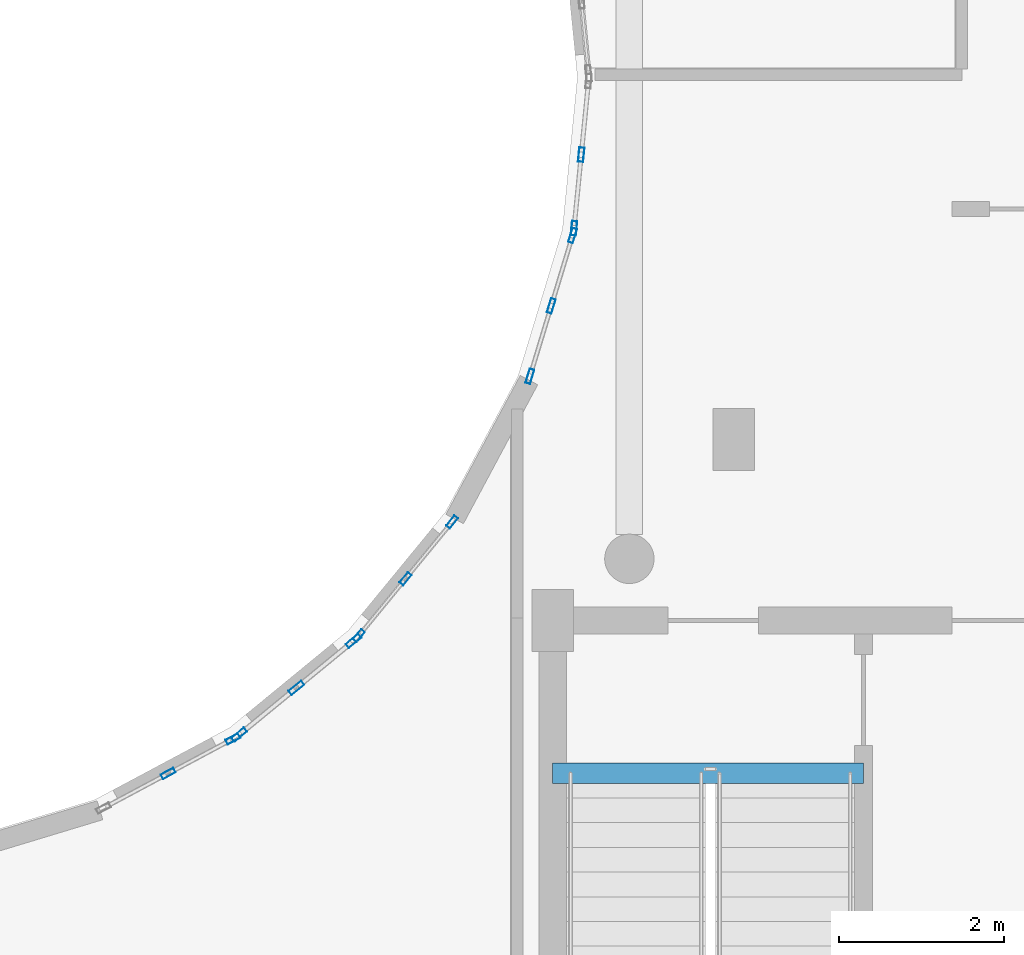
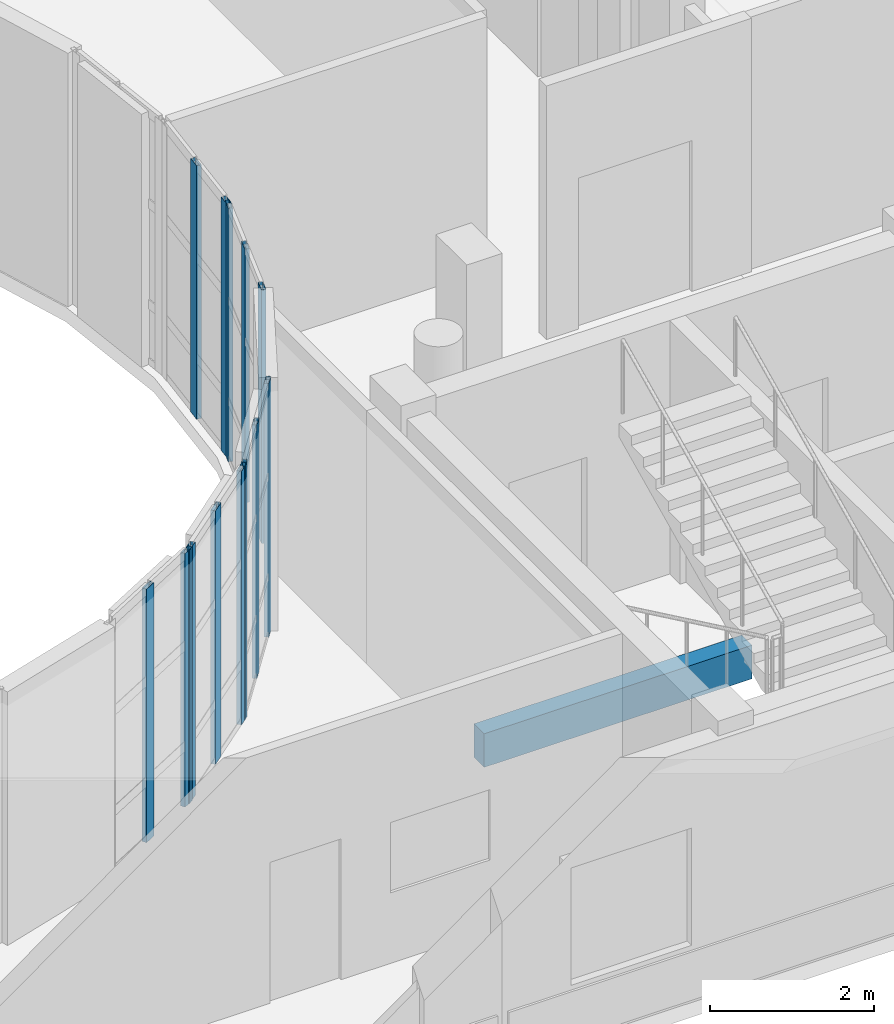
# One storey, part 39 of 105: 13 members, 1 beam, 5 elements without a shape of their own.
"""IFC4 building model written with IfcOpenShell, lengths in metres."""

from ifc_helpers import new_model, si_unit, direction, frame, origin, origin_2d, place, context, subcontext, project, spatial, rectangle, hollow_rectangle, extrude, material, layer, layer_set, material_profile, profile_set, type_object, element, aggregate, save


model = new_model("IFC4")

# Units and contexts
model_context = context("Model", 3, precision=1e-05, world=origin(), true_north=direction((0.0, 1.0)))
body_context = subcontext(model_context, "Body", "Model", "MODEL_VIEW")
ifc_project = project(units=[si_unit("LENGTHUNIT", "METRE"), si_unit("AREAUNIT", "SQUARE_METRE"), si_unit("VOLUMEUNIT", "CUBIC_METRE"), si_unit("PLANEANGLEUNIT", "RADIAN"), si_unit("MASSUNIT", "GRAM", prefix="KILO")], contexts=[model_context])

# Site, building, storey
site_placement = place(None, origin())
site = spatial("IfcSite", under=ifc_project, at=site_placement, CompositionType="ELEMENT")
building_placement = place(site_placement, origin())
building = spatial("IfcBuilding", under=site, at=building_placement, Name="Kelanivale Promenade Academy", CompositionType="ELEMENT")
storey_placement = place(building_placement, frame((0.0, 0.0, 4.199951171875)))
storey = spatial("IfcBuildingStorey", under=building, at=storey_placement, Name="L01", CompositionType="ELEMENT", Elevation=4.199951171875)

# Curtain wall, members
ifc_material_1 = material(Name="Bronze anodised aluminium and solar-control low-E glass", Category="aluminium")
ifc_layer_1 = layer(ifc_material_1, 0.169921875)
ifc_layer_set_1 = layer_set([ifc_layer_1], Name="Bronze anodised aluminium and solar-control low-E glass")
curtain_wall_type_1 = type_object("IfcCurtainWallType", Name="CW-01 Curtain Wall 1350mm Module", PredefinedType="USERDEFINED", material=ifc_layer_set_1)
curtain_wall_1_placement = place(storey_placement, origin())
curtain_wall_1 = element("IfcCurtainWall", 1, at=curtain_wall_1_placement, inside=storey, type_object=curtain_wall_type_1, Name="L01 courtyard curtain wall CW-01", ObjectType="UNITISED GLAZING", PredefinedType="USERDEFINED")
ifc_material_2 = material(Name="Bronze anodised aluminium EN AW-6063 T6", Category="aluminium")
ifc_material_profile_1 = material_profile(ifc_material_2, hollow_rectangle(XDim=0.06005859375, YDim=0.159912109375, WallThickness=0.00390625, at=origin_2d()), Name="ALU 60x160x4.0")
ifc_profile_set_1 = profile_set([ifc_material_profile_1], Name="Bronze anodised aluminium EN AW-6063 T6")
member_type_1 = type_object("IfcMemberType", Name="CWM-01 ALU 60x160x4.0", PredefinedType="MULLION", material=ifc_profile_set_1)
member_1_placement = place(storey_placement, frame((105.64501953125, 50.01611328125, 0.0), z_axis=(0.0, 0.0, 1.0), x_axis=(-0.773257170269, 0.634092539482, 0.0)))
member_1 = element("IfcMember", 2, at=member_1_placement, type_object=member_type_1, Name="CW-01 mullion 1", PredefinedType="MULLION", context=body_context, shape_type="SweptSolid", body=[
    extrude(hollow_rectangle(XDim=0.06005859375, YDim=0.159912109375, WallThickness=0.00390625, at=origin_2d()), origin(), (0.0, 0.0, 1.0), 3.780029296875),
])
member_2_placement = place(storey_placement, frame((106.21142578125, 50.70703125, 0.0), z_axis=(0.0, 0.0, 1.0), x_axis=(-0.773257170269, 0.634092539482, 0.0)))
member_2 = element("IfcMember", 3, at=member_2_placement, type_object=member_type_1, Name="CW-01 mullion 2", PredefinedType="MULLION", context=body_context, shape_type="SweptSolid", body=[
    extrude(hollow_rectangle(XDim=0.06005859375, YDim=0.159912109375, WallThickness=0.00390625, at=origin_2d()), origin(), (0.0, 0.0, 1.0), 3.780029296875),
])
member_3_placement = place(storey_placement, frame((106.778076171875, 51.397705078125, 0.0), z_axis=(0.0, 0.0, 1.0), x_axis=(-0.773257170269, 0.634092539482, 0.0)))
member_3 = element("IfcMember", 4, at=member_3_placement, type_object=member_type_1, Name="CW-01 mullion 3", PredefinedType="MULLION", context=body_context, shape_type="SweptSolid", body=[
    extrude(hollow_rectangle(XDim=0.06005859375, YDim=0.159912109375, WallThickness=0.00390625, at=origin_2d()), origin(), (0.0, 0.0, 1.0), 3.780029296875),
])
aggregate(curtain_wall_1, [member_1, member_2, member_3])

ifc_layer_2 = layer(ifc_material_1, 0.179931640625)
ifc_layer_set_2 = layer_set([ifc_layer_2], Name="Bronze anodised aluminium and solar-control low-E glass")
curtain_wall_type_2 = type_object("IfcCurtainWallType", Name="CW-02 Curtain Wall 1500mm Module", PredefinedType="USERDEFINED", material=ifc_layer_set_2)
curtain_wall_2_placement = place(storey_placement, origin())
curtain_wall_2 = element("IfcCurtainWall", 5, at=curtain_wall_2_placement, inside=storey, type_object=curtain_wall_type_2, Name="L01 courtyard curtain wall CW-02", ObjectType="UNITISED GLAZING", PredefinedType="USERDEFINED")
ifc_material_profile_2 = material_profile(ifc_material_2, hollow_rectangle(XDim=0.06005859375, YDim=0.179931640625, WallThickness=0.00390625, at=origin_2d()), Name="ALU 60x180x4.0")
ifc_profile_set_2 = profile_set([ifc_material_profile_2], Name="Bronze anodised aluminium EN AW-6063 T6")
member_type_2 = type_object("IfcMemberType", Name="CWM-02 ALU 60x180x4.0", PredefinedType="MULLION", material=ifc_profile_set_2)
member_4_placement = place(storey_placement, frame((107.7236328125, 53.166748046875, 0.0), z_axis=(0.0, 0.0, 1.0), x_axis=(-0.956987977524, 0.290127576893, 0.0)))
member_4 = element("IfcMember", 6, at=member_4_placement, type_object=member_type_2, Name="CW-02 mullion 1", PredefinedType="MULLION", context=body_context, shape_type="SweptSolid", body=[
    extrude(hollow_rectangle(XDim=0.06005859375, YDim=0.179931640625, WallThickness=0.00390625, at=origin_2d()), origin(), (0.0, 0.0, 1.0), 3.780029296875),
])
member_5_placement = place(storey_placement, frame((107.98291015625, 54.02197265625, 0.0), z_axis=(0.0, 0.0, 1.0), x_axis=(-0.956987977524, 0.290127576893, 0.0)))
member_5 = element("IfcMember", 7, at=member_5_placement, type_object=member_type_2, Name="CW-02 mullion 2", PredefinedType="MULLION", context=body_context, shape_type="SweptSolid", body=[
    extrude(hollow_rectangle(XDim=0.06005859375, YDim=0.179931640625, WallThickness=0.00390625, at=origin_2d()), origin(), (0.0, 0.0, 1.0), 3.780029296875),
])
member_6_placement = place(storey_placement, frame((108.2421875, 54.877197265625, 0.0), z_axis=(0.0, 0.0, 1.0), x_axis=(-0.956987977524, 0.290127576893, 0.0)))
member_6 = element("IfcMember", 8, at=member_6_placement, type_object=member_type_2, Name="CW-02 mullion 3", PredefinedType="MULLION", context=body_context, shape_type="SweptSolid", body=[
    extrude(hollow_rectangle(XDim=0.06005859375, YDim=0.179931640625, WallThickness=0.00390625, at=origin_2d()), origin(), (0.0, 0.0, 1.0), 3.780029296875),
])
aggregate(curtain_wall_2, [member_4, member_5, member_6])

ifc_layer_3 = layer(ifc_material_1, 0.179931640625)
ifc_layer_set_3 = layer_set([ifc_layer_3], Name="Bronze anodised aluminium and solar-control low-E glass")
curtain_wall_type_3 = type_object("IfcCurtainWallType", Name="CW-23 Curtain Wall 1950mm Module", PredefinedType="USERDEFINED", material=ifc_layer_set_3)
curtain_wall_3_placement = place(storey_placement, origin())
curtain_wall_3 = element("IfcCurtainWall", 9, at=curtain_wall_3_placement, inside=storey, type_object=curtain_wall_type_3, Name="L01 courtyard curtain wall CW-23", ObjectType="COURTYARD SCREEN GLAZING", PredefinedType="USERDEFINED")
ifc_material_profile_3 = material_profile(ifc_material_2, hollow_rectangle(XDim=0.06494140625, YDim=0.175048828125, WallThickness=0.00390625, at=origin_2d()), Name="ALU 65x175x4.0")
ifc_profile_set_3 = profile_set([ifc_material_profile_3], Name="Bronze anodised aluminium EN AW-6063 T6")
member_type_3 = type_object("IfcMemberType", Name="CWM-03 ALU 65x175x4.0", PredefinedType="MULLION", material=ifc_profile_set_3)
member_7_placement = place(storey_placement, frame((103.3291015625, 48.342529296875, 0.0), z_axis=(0.0, 0.0, 1.0), x_axis=(-0.471290193914, 0.881978204448, 0.0)))
member_7 = element("IfcMember", 10, at=member_7_placement, type_object=member_type_3, Name="CW-23 mullion 2", PredefinedType="MULLION", context=body_context, shape_type="SweptSolid", body=[
    extrude(hollow_rectangle(XDim=0.06494140625, YDim=0.175048828125, WallThickness=0.00390625, at=origin_2d()), origin(), (0.0, 0.0, 1.0), 3.780029296875),
])
member_8_placement = place(storey_placement, frame((104.115234375, 48.7626953125, 0.0), z_axis=(0.0, 0.0, 1.0), x_axis=(-0.471290193914, 0.881978204448, 0.0)))
member_8 = element("IfcMember", 11, at=member_8_placement, type_object=member_type_3, Name="CW-23 mullion 3", PredefinedType="MULLION", context=body_context, shape_type="SweptSolid", body=[
    extrude(hollow_rectangle(XDim=0.06494140625, YDim=0.175048828125, WallThickness=0.00390625, at=origin_2d()), origin(), (0.0, 0.0, 1.0), 3.780029296875),
])
aggregate(curtain_wall_3, [member_7, member_8])

ifc_layer_4 = layer(ifc_material_1, 0.159912109375)
ifc_layer_set_4 = layer_set([ifc_layer_4], Name="Bronze anodised aluminium and solar-control low-E glass")
curtain_wall_type_4 = type_object("IfcCurtainWallType", Name="CW-03 Curtain Wall 1650mm Module", PredefinedType="USERDEFINED", material=ifc_layer_set_4)
curtain_wall_4_placement = place(storey_placement, origin())
curtain_wall_4 = element("IfcCurtainWall", 12, at=curtain_wall_4_placement, inside=storey, type_object=curtain_wall_type_4, Name="L01 courtyard curtain wall CW-03", ObjectType="UNITISED GLAZING", PredefinedType="USERDEFINED")
member_9_placement = place(storey_placement, frame((108.25927734375, 54.96533203125, 0.0), z_axis=(0.0, 0.0, 1.0), x_axis=(-0.995158737767, 0.098280652454, 0.0)))
member_9 = element("IfcMember", 13, at=member_9_placement, type_object=member_type_3, Name="CW-03 mullion 1", PredefinedType="MULLION", context=body_context, shape_type="SweptSolid", body=[
    extrude(hollow_rectangle(XDim=0.06494140625, YDim=0.175048828125, WallThickness=0.00390625, at=origin_2d()), origin(), (0.0, 0.0, 1.0), 3.780029296875),
])
member_10_placement = place(storey_placement, frame((108.347412109375, 55.859619140625, 0.0), z_axis=(0.0, 0.0, 1.0), x_axis=(-0.995158737767, 0.098280652454, 0.0)))
member_10 = element("IfcMember", 14, at=member_10_placement, type_object=member_type_3, Name="CW-03 mullion 2", PredefinedType="MULLION", context=body_context, shape_type="SweptSolid", body=[
    extrude(hollow_rectangle(XDim=0.06494140625, YDim=0.175048828125, WallThickness=0.00390625, at=origin_2d()), origin(), (0.0, 0.0, 1.0), 3.780029296875),
])
aggregate(curtain_wall_4, [member_9, member_10])

ifc_layer_5 = layer(ifc_material_1, 0.159912109375)
ifc_layer_set_5 = layer_set([ifc_layer_5], Name="Bronze anodised aluminium and solar-control low-E glass")
curtain_wall_type_5 = type_object("IfcCurtainWallType", Name="CW-24 Curtain Wall 1200mm Module", PredefinedType="USERDEFINED", material=ifc_layer_set_5)
curtain_wall_5_placement = place(storey_placement, origin())
curtain_wall_5 = element("IfcCurtainWall", 15, at=curtain_wall_5_placement, inside=storey, type_object=curtain_wall_type_5, Name="L01 courtyard curtain wall CW-24", ObjectType="COURTYARD SCREEN GLAZING", PredefinedType="USERDEFINED")
ifc_material_profile_4 = material_profile(ifc_material_2, hollow_rectangle(XDim=0.06494140625, YDim=0.199951171875, WallThickness=0.00439453125, at=origin_2d()), Name="ALU 65x200x4.5")
ifc_profile_set_4 = profile_set([ifc_material_profile_4], Name="Bronze anodised aluminium EN AW-6063 T6")
member_type_4 = type_object("IfcMemberType", Name="CWM-04 ALU 65x200x4.5", PredefinedType="MULLION", material=ifc_profile_set_4)
member_11_placement = place(storey_placement, frame((104.192138671875, 48.813720703125, 0.0), z_axis=(0.0, 0.0, 1.0), x_axis=(-0.634143799719, 0.773215132597, 0.0)))
member_11 = element("IfcMember", 16, at=member_11_placement, type_object=member_type_4, Name="CW-24 mullion 1", PredefinedType="MULLION", context=body_context, shape_type="SweptSolid", body=[
    extrude(hollow_rectangle(XDim=0.06494140625, YDim=0.199951171875, WallThickness=0.00439453125, at=origin_2d()), origin(), (0.0, 0.0, 1.0), 3.780029296875),
])
member_12_placement = place(storey_placement, frame((104.886962890625, 49.383544921875, 0.0), z_axis=(0.0, 0.0, 1.0), x_axis=(-0.634143799719, 0.773215132597, 0.0)))
member_12 = element("IfcMember", 17, at=member_12_placement, type_object=member_type_4, Name="CW-24 mullion 2", PredefinedType="MULLION", context=body_context, shape_type="SweptSolid", body=[
    extrude(hollow_rectangle(XDim=0.06494140625, YDim=0.199951171875, WallThickness=0.00439453125, at=origin_2d()), origin(), (0.0, 0.0, 1.0), 3.780029296875),
])
member_13_placement = place(storey_placement, frame((105.581787109375, 49.953369140625, 0.0), z_axis=(0.0, 0.0, 1.0), x_axis=(-0.634143799719, 0.773215132597, 0.0)))
member_13 = element("IfcMember", 18, at=member_13_placement, type_object=member_type_4, Name="CW-24 mullion 3", PredefinedType="MULLION", context=body_context, shape_type="SweptSolid", body=[
    extrude(hollow_rectangle(XDim=0.06494140625, YDim=0.199951171875, WallThickness=0.00439453125, at=origin_2d()), origin(), (0.0, 0.0, 1.0), 3.780029296875),
])
aggregate(curtain_wall_5, [member_11, member_12, member_13])

# Beam
ifc_material_3 = material(Name="Concrete C35/45", Category="concrete")
ifc_material_profile_5 = material_profile(ifc_material_3, rectangle(XDim=0.25, YDim=0.5, at=origin_2d()), Name="RC-BM 250x500")
ifc_profile_set_5 = profile_set([ifc_material_profile_5], Name="Concrete C35/45")
beam_type = type_object("IfcBeamType", Name="LN-02 RC-BM 250x500", PredefinedType="LINTEL", material=ifc_profile_set_5)
beam_placement = place(storey_placement, frame((108.0, 48.344970703125, -0.25), z_axis=(1.0, 0.0, 0.0), x_axis=(0.0, 1.0, 0.0)))
element("IfcBeam", 19, at=beam_placement, inside=storey, type_object=beam_type, Name="CORE-3 stair arrival trimmer beam L01", PredefinedType="LINTEL", context=body_context, shape_type="SweptSolid", body=[
    extrude(rectangle(XDim=0.25, YDim=0.5, at=origin_2d()), origin(), (0.0, 0.0, 1.0), 3.77490234375),
])

save(model, "model.ifc")
